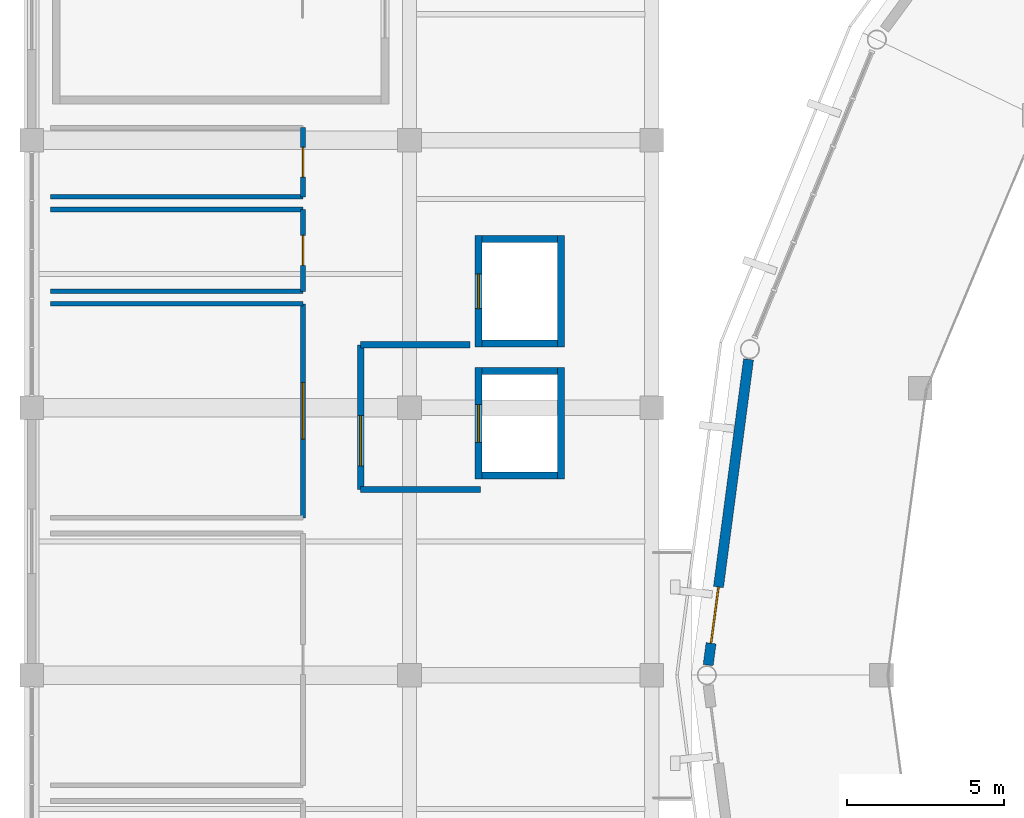
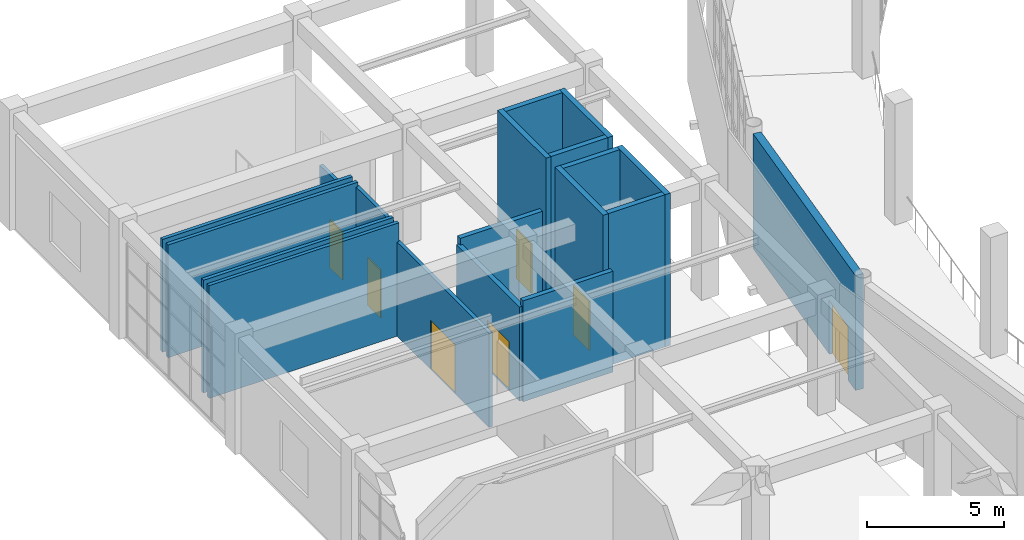
# One storey, part 31 of 40: 19 walls, 7 doors, 7 openings.
"""IFC4 building model written with IfcOpenShell, lengths in metres."""

from ifc_helpers import new_model, si_unit, direction, frame, frame_2d, origin, place, context, subcontext, project, spatial, rectangle, extrude, material, layer, layer_set, type_object, element, fill, save


model = new_model("IFC4")

# Units and contexts
model_context = context("Model", 3, precision=1e-05, world=origin(), true_north=direction((0.0, 1.0)))
body_context = subcontext(model_context, "Body", "Model", "MODEL_VIEW")
ifc_project = project(units=[si_unit("LENGTHUNIT", "METRE"), si_unit("AREAUNIT", "SQUARE_METRE"), si_unit("VOLUMEUNIT", "CUBIC_METRE"), si_unit("PLANEANGLEUNIT", "RADIAN"), si_unit("MASSUNIT", "GRAM", prefix="KILO")], contexts=[model_context])

# Site, building, storey
site_placement = place(None, origin())
site = spatial("IfcSite", under=ifc_project, at=site_placement, CompositionType="ELEMENT")
building_placement = place(site_placement, origin())
building = spatial("IfcBuilding", under=site, at=building_placement, Name="Cuetzalor Civic Arena", CompositionType="ELEMENT")
storey_placement = place(building_placement, frame((0.0, 0.0, 26.39990234375)))
storey = spatial("IfcBuildingStorey", under=building, at=storey_placement, Name="L05", CompositionType="ELEMENT", Elevation=26.39990234375)

# Wall
ifc_material_1 = material(Name="Acoustic steel-stud gypsum partition", Category="steel")
ifc_layer_1 = layer(ifc_material_1, 0.14990234375)
ifc_layer_set_1 = layer_set([ifc_layer_1], Name="Acoustic steel-stud gypsum partition")
wall_type_1 = type_object("IfcWallType", Name="AcousticGypsumPartition_150", PredefinedType="PARTITIONING", material=ifc_layer_set_1)
wall_1_placement = place(storey_placement, frame((-75.39990234375, 11.800048828125, 0.0), z_axis=(0.0, 0.0, 1.0), x_axis=(1.0, 0.0, 0.0)))
element("IfcWall", 1, at=wall_1_placement, inside=storey, type_object=wall_type_1, Name="Interior Partition IWALL:L05:0550", PredefinedType="PARTITIONING", context=body_context, shape_type="SweptSolid", body=[
    extrude(rectangle(XDim=8.02001953125, YDim=0.14990234375, at=frame_2d((4.010009765625, 0.0))), origin(), (0.0, 0.0, 1.0), 5.0400390625),
])

# Wall, opening, door
wall_2_placement = place(storey_placement, frame((-67.3798828125, 11.800048828125, 0.0), z_axis=(0.0, 0.0, 1.0), x_axis=(0.0, -1.0, 0.0)))
wall_2 = element("IfcWall", 2, at=wall_2_placement, inside=storey, type_object=wall_type_1, Name="Interior Partition IWALL:L05:0552", PredefinedType="PARTITIONING", context=body_context, shape_type="SweptSolid", body=[
    extrude(rectangle(XDim=6.800048828125, YDim=0.14990234375, at=frame_2d((3.39990234375, 0.0))), origin(), (0.0, 0.0, 1.0), 4.205078125),
])
opening_1_placement = place(wall_2_placement, frame((2.5, 0.0, 0.0)))
opening_1 = element("IfcOpeningElement", 3, at=opening_1_placement, cuts=wall_2, Name="Opening ID-06", PredefinedType="OPENING", context=body_context, shape_type="SweptSolid", body=[
    extrude(rectangle(XDim=1.800048828125, YDim=2.199951171875, at=frame_2d((0.89990234375, 1.10009765625))), frame((0.0, 0.0849609375, 0.0), z_axis=(0.0, -1.0, 0.0), x_axis=(1.0, 0.0, 0.0)), (0.0, 0.0, 1.0), 0.169921875),
])
ifc_material_2 = material(Name="Glazed bronze acoustic double door", Category="metal")
door_type_1 = type_object("IfcDoorType", Name="PublicDoubleDoor_1800x2200", OperationType="DOUBLE_DOOR_SINGLE_SWING", PredefinedType="DOOR", material=ifc_material_2)
door_1_placement = place(opening_1_placement, origin())
door_1 = element("IfcDoor", 4, at=door_1_placement, inside=storey, type_object=door_type_1, Name="Door to Press Conference Hall West L05", OperationType="DOUBLE_DOOR_SINGLE_SWING", OverallHeight=2.199951171875, OverallWidth=1.800048828125, PredefinedType="DOOR", context=body_context, shape_type="SweptSolid", body=[
    extrude(rectangle(XDim=1.800048828125, YDim=2.199951171875, at=frame_2d((0.89990234375, 1.10009765625))), frame((0.0, 0.02490234375, 0.0), z_axis=(0.0, -1.0, 0.0), x_axis=(1.0, 0.0, 0.0)), (0.0, 0.0, 1.0), 0.050048828125),
])
fill(opening_1, door_1)

# Walls
for number, where, z_axis, x_axis, name in (
    (5, (-75.39990234375, 14.800048828125, 0.0), (0.0, 0.0, 1.0), (1.0, 0.0, 0.0), "Interior Partition IWALL:L05:0553"),
    (6, (-67.3798828125, 12.199951171875, 0.0), (0.0, 0.0, 1.0), (-1.0, 0.0, 0.0), "Interior Partition IWALL:L05:0554"),
):
    element("IfcWall", number, at=place(storey_placement, frame(where, z_axis=z_axis, x_axis=x_axis)), inside=storey, type_object=wall_type_1, Name=name, PredefinedType="PARTITIONING", context=body_context, shape_type="SweptSolid", body=[
        extrude(rectangle(XDim=8.02001953125, YDim=0.14990234375, at=frame_2d((4.010009765625, 0.0))), origin(), (0.0, 0.0, 1.0), 5.0400390625),
    ])

# Wall, opening, door
wall_3_placement = place(storey_placement, frame((-67.3798828125, 14.800048828125, 0.0), z_axis=(0.0, 0.0, 1.0), x_axis=(0.0, -1.0, 0.0)))
wall_3 = element("IfcWall", 7, at=wall_3_placement, inside=storey, type_object=wall_type_1, Name="Interior Partition IWALL:L05:0555", PredefinedType="PARTITIONING", context=body_context, shape_type="SweptSolid", body=[
    extrude(rectangle(XDim=2.60009765625, YDim=0.14990234375, at=frame_2d((1.300048828125, 0.0))), origin(), (0.0, 0.0, 1.0), 4.842041015625),
])
opening_2_placement = place(wall_3_placement, frame((0.824951171875, 0.0, 0.0)))
opening_2 = element("IfcOpeningElement", 8, at=opening_2_placement, cuts=wall_3, Name="Opening ID-03", PredefinedType="OPENING", context=body_context, shape_type="SweptSolid", body=[
    extrude(rectangle(XDim=0.949951171875, YDim=2.14990234375, at=frame_2d((0.47509765625, 1.074951171875))), frame((0.0, 0.0849609375, 0.0), z_axis=(0.0, -1.0, 0.0), x_axis=(1.0, 0.0, 0.0)), (0.0, 0.0, 1.0), 0.169921875),
])
ifc_material_3 = material(Name="Painted steel frame and solid timber leaf", Category="steel")
door_type_2 = type_object("IfcDoorType", Name="InteriorSingleDoor_950x2150", OperationType="NOTDEFINED", PredefinedType="DOOR", material=ifc_material_3)
door_2_placement = place(opening_2_placement, origin())
door_2 = element("IfcDoor", 9, at=door_2_placement, inside=storey, type_object=door_type_2, Name="Door to Public Restroom Media West L05", OperationType="SINGLE_SWING_RIGHT", OverallHeight=2.14990234375, OverallWidth=0.949951171875, PredefinedType="DOOR", context=body_context, shape_type="SweptSolid", body=[
    extrude(rectangle(XDim=0.949951171875, YDim=2.14990234375, at=frame_2d((0.47509765625, 1.074951171875))), frame((0.0, 0.02490234375, 0.0), z_axis=(0.0, -1.0, 0.0), x_axis=(1.0, 0.0, 0.0)), (0.0, 0.0, 1.0), 0.050048828125),
])
fill(opening_2, door_2)

# Wall
wall_4_placement = place(storey_placement, frame((-67.3798828125, 15.199951171875, 0.0), z_axis=(0.0, 0.0, 1.0), x_axis=(-1.0, 0.0, 0.0)))
element("IfcWall", 10, at=wall_4_placement, inside=storey, type_object=wall_type_1, Name="Interior Partition IWALL:L05:0557", PredefinedType="PARTITIONING", context=body_context, shape_type="SweptSolid", body=[
    extrude(rectangle(XDim=8.02001953125, YDim=0.14990234375, at=frame_2d((4.010009765625, 0.0))), origin(), (0.0, 0.0, 1.0), 5.0400390625),
])

# Wall, opening, door
wall_5_placement = place(storey_placement, frame((-67.3798828125, 17.39990234375, 0.0), z_axis=(0.0, 0.0, 1.0), x_axis=(0.0, -1.0, 0.0)))
wall_5 = element("IfcWall", 11, at=wall_5_placement, inside=storey, type_object=wall_type_1, Name="Interior Partition IWALL:L05:0558", PredefinedType="PARTITIONING", context=body_context, shape_type="SweptSolid", body=[
    extrude(rectangle(XDim=2.199951171875, YDim=0.14990234375, at=frame_2d((1.10009765625, 0.0))), origin(), (0.0, 0.0, 1.0), 4.205078125),
])
opening_3_placement = place(wall_5_placement, frame((0.625, 0.0, 0.0)))
opening_3 = element("IfcOpeningElement", 12, at=opening_3_placement, cuts=wall_5, Name="Opening ID-03", PredefinedType="OPENING", context=body_context, shape_type="SweptSolid", body=[
    extrude(rectangle(XDim=0.949951171875, YDim=2.14990234375, at=frame_2d((0.47509765625, 1.074951171875))), frame((0.0, 0.0849609375, 0.0), z_axis=(0.0, -1.0, 0.0), x_axis=(1.0, 0.0, 0.0)), (0.0, 0.0, 1.0), 0.169921875),
])
door_3_placement = place(opening_3_placement, origin())
door_3 = element("IfcDoor", 13, at=door_3_placement, inside=storey, type_object=door_type_2, Name="Door to Accessible WC Media West L05", OperationType="SINGLE_SWING_LEFT", OverallHeight=2.14990234375, OverallWidth=0.949951171875, PredefinedType="DOOR", context=body_context, shape_type="SweptSolid", body=[
    extrude(rectangle(XDim=0.949951171875, YDim=2.14990234375, at=frame_2d((0.47509765625, 1.074951171875))), frame((0.0, 0.02490234375, 0.0), z_axis=(0.0, -1.0, 0.0), x_axis=(1.0, 0.0, 0.0)), (0.0, 0.0, 1.0), 0.050048828125),
])
fill(opening_3, door_3)

ifc_material_4 = material(Name="Fire-rated masonry and gypsum partition", Category="masonry")
ifc_layer_2 = layer(ifc_material_4, 0.199951171875)
ifc_layer_set_2 = layer_set([ifc_layer_2], Name="Fire-rated masonry and gypsum partition")
wall_type_2 = type_object("IfcWallType", Name="FireCompartmentWall_200", PredefinedType="PARTITIONING", material=ifc_layer_set_2)
wall_6_placement = place(storey_placement, frame((-65.550048828125, 5.89990234375, 0.0), z_axis=(0.0, 0.0, 1.0), x_axis=(0.0, 1.0, 0.0)))
wall_6 = element("IfcWall", 14, at=wall_6_placement, inside=storey, type_object=wall_type_2, Name="Interior Partition IWALL:L05:0034", PredefinedType="PARTITIONING", context=body_context, shape_type="SweptSolid", body=[
    extrude(rectangle(XDim=4.60009765625, YDim=0.199951171875, at=frame_2d((2.300048828125, 0.0))), origin(), (0.0, 0.0, 1.0), 4.205078125),
])
opening_4_placement = place(wall_6_placement, frame((0.75, 0.0, 0.0)))
opening_4 = element("IfcOpeningElement", 15, at=opening_4_placement, cuts=wall_6, Name="Opening FD-05", PredefinedType="OPENING", context=body_context, shape_type="SweptSolid", body=[
    extrude(rectangle(XDim=1.60009765625, YDim=2.199951171875, at=frame_2d((0.800048828125, 1.10009765625))), frame((0.0, 0.10986328125, 0.0), z_axis=(0.0, -1.0, 0.0), x_axis=(1.0, 0.0, 0.0)), (0.0, 0.0, 1.0), 0.219970703125),
])
ifc_material_5 = material(Name="Fire-rated smoke-seal lobby double door", Category="steel")
door_type_3 = type_object("IfcDoorType", Name="FireLobbyDoubleDoor_1600x2200", OperationType="DOUBLE_DOOR_SINGLE_SWING", PredefinedType="DOOR", material=ifc_material_5)
door_4_placement = place(opening_4_placement, origin())
door_4 = element("IfcDoor", 16, at=door_4_placement, inside=storey, type_object=door_type_3, Name="Door to Firefighting Lift Lobby LF-02 L05", OperationType="DOUBLE_DOOR_SINGLE_SWING", OverallHeight=2.199951171875, OverallWidth=1.60009765625, PredefinedType="DOOR", context=body_context, shape_type="SweptSolid", body=[
    extrude(rectangle(XDim=1.60009765625, YDim=2.199951171875, at=frame_2d((0.800048828125, 1.10009765625))), frame((0.0, 0.02490234375, 0.0), z_axis=(0.0, -1.0, 0.0), x_axis=(1.0, 0.0, 0.0)), (0.0, 0.0, 1.0), 0.050048828125),
])
fill(opening_4, door_4)

# Walls
wall_7_placement = place(storey_placement, frame((-65.550048828125, 10.5, 0.0), z_axis=(0.0, 0.0, 1.0), x_axis=(1.0, 0.0, 0.0)))
element("IfcWall", 17, at=wall_7_placement, inside=storey, type_object=wall_type_2, Name="Interior Partition IWALL:L05:0035", PredefinedType="PARTITIONING", context=body_context, shape_type="SweptSolid", body=[
    extrude(rectangle(XDim=3.47998046875, YDim=0.199951171875, at=frame_2d((1.739990234375, 0.0))), origin(), (0.0, 0.0, 1.0), 4.505126953125),
])
wall_8_placement = place(storey_placement, frame((-61.75, 5.89990234375, 0.0), z_axis=(0.0, 0.0, 1.0), x_axis=(-1.0, 0.0, 0.0)))
element("IfcWall", 18, at=wall_8_placement, inside=storey, type_object=wall_type_2, Name="Interior Partition IWALL:L05:0036", PredefinedType="PARTITIONING", context=body_context, shape_type="SweptSolid", body=[
    extrude(rectangle(XDim=3.800048828125, YDim=0.199951171875, at=frame_2d((1.89990234375, 0.0))), origin(), (0.0, 0.0, 1.0), 4.505126953125),
])

# Wall, opening, door
ifc_material_6 = material(Name="Precast concrete C40/50 insulated cladding", Category="concrete")
ifc_layer_3 = layer(ifc_material_6, 0.320068359375)
ifc_layer_set_3 = layer_set([ifc_layer_3], Name="Precast concrete C40/50 insulated cladding")
wall_type_3 = type_object("IfcWallType", Name="InsulatedPrecastWall_320", PredefinedType="SOLIDWALL", material=ifc_layer_set_3)
wall_9_placement = place(storey_placement, frame((-54.507568359375, 0.321533203125, 0.0), z_axis=(0.0, 0.0, 1.0), x_axis=(0.130894016981, 0.991396366908, 0.0)))
wall_9 = element("IfcWall", 19, at=wall_9_placement, inside=storey, type_object=wall_type_3, Name="Drum Acoustic Backing Wall L05-080", PredefinedType="SOLIDWALL", context=body_context, shape_type="SweptSolid", body=[
    extrude(rectangle(XDim=9.799560546875, YDim=0.320068359375, at=frame_2d((4.89990234375, 0.0))), origin(), (0.0, 0.0, 1.0), 5.135986328125),
])
opening_5_placement = place(wall_9_placement, frame((0.699951171875, 0.0, 0.0)))
opening_5 = element("IfcOpeningElement", 20, at=opening_5_placement, cuts=wall_9, Name="Opening ED-09", PredefinedType="OPENING", context=body_context, shape_type="SweptSolid", body=[
    extrude(rectangle(XDim=1.800048828125, YDim=2.39990234375, at=frame_2d((0.89990234375, 1.199951171875))), frame((0.0, 0.169921875, 0.0), z_axis=(0.0, -1.0, 0.0), x_axis=(1.0, 0.0, 0.0)), (0.0, 0.0, 1.0), 0.340087890625),
])
ifc_material_7 = material(Name="Thermally broken bronze steel and laminated glass", Category="steel")
door_type_4 = type_object("IfcDoorType", Name="RoofGardenGlazedDoor_1800x2400", OperationType="DOUBLE_DOOR_SINGLE_SWING", PredefinedType="DOOR", material=ifc_material_7)
door_5_placement = place(opening_5_placement, origin())
door_5 = element("IfcDoor", 21, at=door_5_placement, inside=storey, type_object=door_type_4, Name="Seismic Bridge Circulation Door L05-S14", OperationType="DOUBLE_DOOR_SINGLE_SWING", OverallHeight=2.39990234375, OverallWidth=1.800048828125, PredefinedType="DOOR", context=body_context, shape_type="SweptSolid", body=[
    extrude(rectangle(XDim=1.800048828125, YDim=2.39990234375, at=frame_2d((0.89990234375, 1.199951171875))), frame((0.0, 0.02490234375, 0.0), z_axis=(0.0, -1.0, 0.0), x_axis=(1.0, 0.0, 0.0)), (0.0, 0.0, 1.0), 0.050048828125),
])
fill(opening_5, door_5)

ifc_material_8 = material(Name="Concrete C40/50", Category="concrete")
ifc_layer_4 = layer(ifc_material_8, 0.219970703125)
ifc_layer_set_4 = layer_set([ifc_layer_4], Name="Concrete C40/50")
wall_type_4 = type_object("IfcWallType", Name="LiftShaftShearWall_220", PredefinedType="SHEAR", material=ifc_layer_set_4)
wall_10_placement = place(storey_placement, frame((-61.81005859375, 6.22998046875, 0.0), z_axis=(0.0, 0.0, 1.0), x_axis=(0.0, 1.0, 0.0)))
wall_10 = element("IfcWall", 22, at=wall_10_placement, inside=storey, type_object=wall_type_4, Name="Lift Shaft Wall LF-02-L05-W", PredefinedType="SHEAR", context=body_context, shape_type="SweptSolid", body=[
    extrude(rectangle(XDim=3.5400390625, YDim=0.219970703125, at=frame_2d((1.77001953125, 0.0))), origin(), (0.0, 0.0, 1.0), 6.800048828125),
])
opening_6_placement = place(wall_10_placement, frame((1.169921875, 0.0, 0.0)))
opening_6 = element("IfcOpeningElement", 23, at=opening_6_placement, cuts=wall_10, Name="Opening LD-02", PredefinedType="OPENING", context=body_context, shape_type="SweptSolid", body=[
    extrude(rectangle(XDim=1.199951171875, YDim=2.199951171875, at=frame_2d((0.60009765625, 1.10009765625))), frame((0.0, 0.1201171875, 0.0), z_axis=(0.0, -1.0, 0.0), x_axis=(1.0, 0.0, 0.0)), (0.0, 0.0, 1.0), 0.239990234375),
])
ifc_material_9 = material(Name="Fire-rated stainless steel sliding lift landing door", Category="steel")
door_type_5 = type_object("IfcDoorType", Name="LiftLandingSlidingDoor_1200x2200", OperationType="SLIDING_TO_LEFT", PredefinedType="DOOR", material=ifc_material_9)
door_6_placement = place(opening_6_placement, origin())
door_6 = element("IfcDoor", 24, at=door_6_placement, inside=storey, type_object=door_type_5, Name="Lift Landing Sliding Door LF-02 L05", OperationType="SLIDING_TO_LEFT", OverallHeight=2.199951171875, OverallWidth=1.199951171875, PredefinedType="DOOR", context=body_context, shape_type="SweptSolid", body=[
    extrude(rectangle(XDim=1.199951171875, YDim=2.199951171875, at=frame_2d((0.60009765625, 1.10009765625))), frame((0.0, 0.02490234375, 0.0), z_axis=(0.0, -1.0, 0.0), x_axis=(1.0, 0.0, 0.0)), (0.0, 0.0, 1.0), 0.050048828125),
])
fill(opening_6, door_6)

# Walls
wall_11_placement = place(storey_placement, frame((-61.699951171875, 9.659912109375, 0.0), z_axis=(0.0, 0.0, 1.0), x_axis=(1.0, 0.0, 0.0)))
element("IfcWall", 25, at=wall_11_placement, inside=storey, type_object=wall_type_4, Name="Lift Shaft Wall LF-02-L05-N", PredefinedType="SHEAR", context=body_context, shape_type="SweptSolid", body=[
    extrude(rectangle(XDim=2.39990234375, YDim=0.219970703125, at=frame_2d((1.199951171875, 0.0))), origin(), (0.0, 0.0, 1.0), 6.800048828125),
])
wall_12_placement = place(storey_placement, frame((-59.18994140625, 9.77001953125, 0.0), z_axis=(0.0, 0.0, 1.0), x_axis=(0.0, -1.0, 0.0)))
element("IfcWall", 26, at=wall_12_placement, inside=storey, type_object=wall_type_4, Name="Lift Shaft Wall LF-02-L05-E", PredefinedType="SHEAR", context=body_context, shape_type="SweptSolid", body=[
    extrude(rectangle(XDim=3.5400390625, YDim=0.219970703125, at=frame_2d((1.77001953125, 0.0))), origin(), (0.0, 0.0, 1.0), 6.800048828125),
])
wall_13_placement = place(storey_placement, frame((-59.300048828125, 6.340087890625, 0.0), z_axis=(0.0, 0.0, 1.0), x_axis=(-1.0, 0.0, 0.0)))
element("IfcWall", 27, at=wall_13_placement, inside=storey, type_object=wall_type_4, Name="Lift Shaft Wall LF-02-L05-S", PredefinedType="SHEAR", context=body_context, shape_type="SweptSolid", body=[
    extrude(rectangle(XDim=2.39990234375, YDim=0.219970703125, at=frame_2d((1.199951171875, 0.0))), origin(), (0.0, 0.0, 1.0), 6.800048828125),
])

# Wall, opening, door
wall_14_placement = place(storey_placement, frame((-61.81005859375, 10.429931640625, 0.0), z_axis=(0.0, 0.0, 1.0), x_axis=(0.0, 1.0, 0.0)))
wall_14 = element("IfcWall", 28, at=wall_14_placement, inside=storey, type_object=wall_type_4, Name="Lift Shaft Wall LP-04-L05-W", PredefinedType="SHEAR", context=body_context, shape_type="SweptSolid", body=[
    extrude(rectangle(XDim=3.5400390625, YDim=0.219970703125, at=frame_2d((1.77001953125, 0.0))), origin(), (0.0, 0.0, 1.0), 6.800048828125),
])
opening_7_placement = place(wall_14_placement, frame((1.219970703125, 0.0, 0.0)))
opening_7 = element("IfcOpeningElement", 29, at=opening_7_placement, cuts=wall_14, Name="Opening LD-01", PredefinedType="OPENING", context=body_context, shape_type="SweptSolid", body=[
    extrude(rectangle(XDim=1.10009765625, YDim=2.199951171875, at=frame_2d((0.550048828125, 1.10009765625))), frame((0.0, 0.1201171875, 0.0), z_axis=(0.0, -1.0, 0.0), x_axis=(1.0, 0.0, 0.0)), (0.0, 0.0, 1.0), 0.239990234375),
])
ifc_material_10 = material(Name="Brushed stainless steel sliding lift landing door", Category="steel")
door_type_6 = type_object("IfcDoorType", Name="LiftLandingSlidingDoor_1100x2200", OperationType="SLIDING_TO_LEFT", PredefinedType="DOOR", material=ifc_material_10)
door_7_placement = place(opening_7_placement, origin())
door_7 = element("IfcDoor", 30, at=door_7_placement, inside=storey, type_object=door_type_6, Name="Lift Landing Sliding Door LP-04 L05", OperationType="SLIDING_TO_LEFT", OverallHeight=2.199951171875, OverallWidth=1.10009765625, PredefinedType="DOOR", context=body_context, shape_type="SweptSolid", body=[
    extrude(rectangle(XDim=1.10009765625, YDim=2.199951171875, at=frame_2d((0.550048828125, 1.10009765625))), frame((0.0, 0.02490234375, 0.0), z_axis=(0.0, -1.0, 0.0), x_axis=(1.0, 0.0, 0.0)), (0.0, 0.0, 1.0), 0.050048828125),
])
fill(opening_7, door_7)

# Walls
wall_15_placement = place(storey_placement, frame((-61.699951171875, 13.860107421875, 0.0), z_axis=(0.0, 0.0, 1.0), x_axis=(1.0, 0.0, 0.0)))
element("IfcWall", 31, at=wall_15_placement, inside=storey, type_object=wall_type_4, Name="Lift Shaft Wall LP-04-L05-N", PredefinedType="SHEAR", context=body_context, shape_type="SweptSolid", body=[
    extrude(rectangle(XDim=2.39990234375, YDim=0.219970703125, at=frame_2d((1.199951171875, 0.0))), origin(), (0.0, 0.0, 1.0), 6.800048828125),
])
wall_16_placement = place(storey_placement, frame((-59.18994140625, 13.969970703125, 0.0), z_axis=(0.0, 0.0, 1.0), x_axis=(0.0, -1.0, 0.0)))
element("IfcWall", 32, at=wall_16_placement, inside=storey, type_object=wall_type_4, Name="Lift Shaft Wall LP-04-L05-E", PredefinedType="SHEAR", context=body_context, shape_type="SweptSolid", body=[
    extrude(rectangle(XDim=3.5400390625, YDim=0.219970703125, at=frame_2d((1.77001953125, 0.0))), origin(), (0.0, 0.0, 1.0), 6.800048828125),
])
wall_17_placement = place(storey_placement, frame((-59.300048828125, 10.5400390625, 0.0), z_axis=(0.0, 0.0, 1.0), x_axis=(-1.0, 0.0, 0.0)))
element("IfcWall", 33, at=wall_17_placement, inside=storey, type_object=wall_type_4, Name="Lift Shaft Wall LP-04-L05-S", PredefinedType="SHEAR", context=body_context, shape_type="SweptSolid", body=[
    extrude(rectangle(XDim=2.39990234375, YDim=0.219970703125, at=frame_2d((1.199951171875, 0.0))), origin(), (0.0, 0.0, 1.0), 6.800048828125),
])

save(model, "model.ifc")
